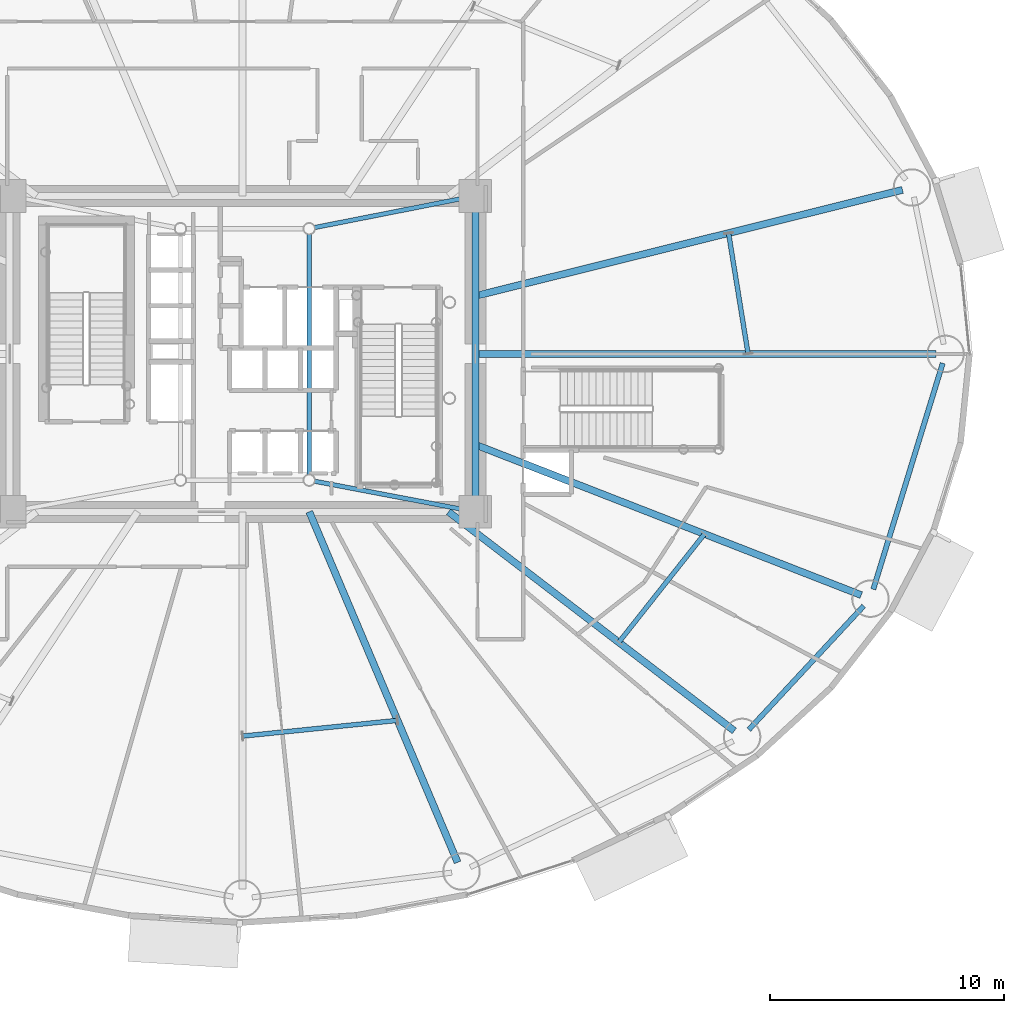
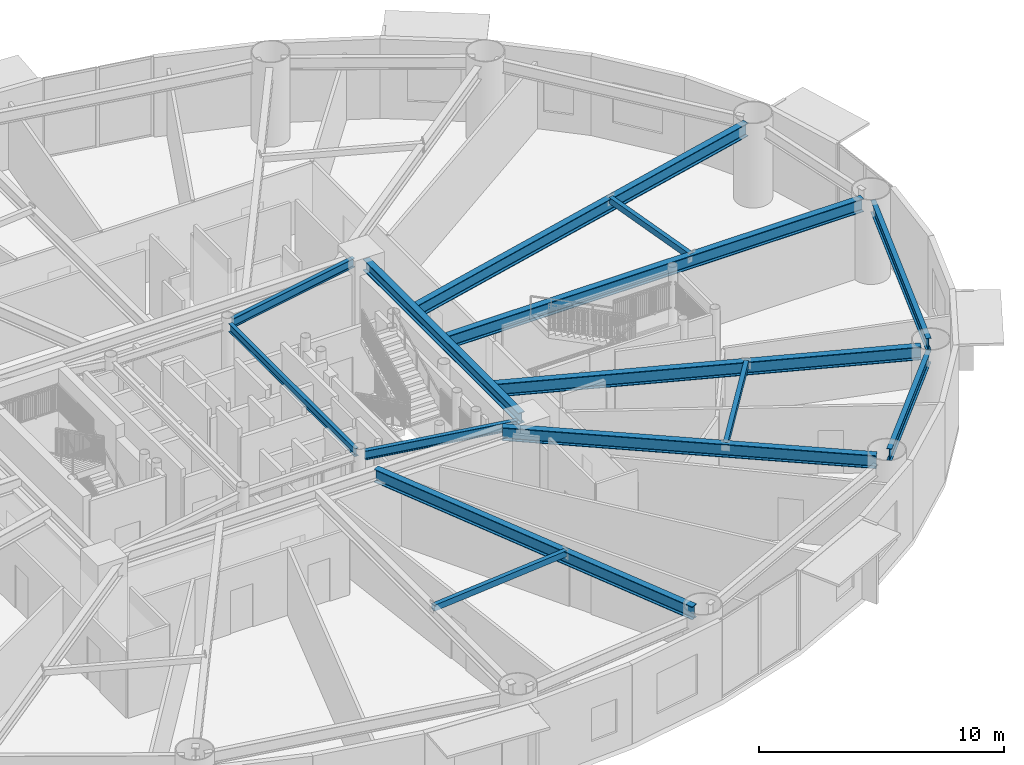
# One storey, part 7 of 32: 14 beams.
"""IFC4 building model written with IfcOpenShell, lengths in metres."""

from ifc_helpers import new_model, si_unit, direction, frame, origin, origin_2d, place, context, subcontext, project, spatial, hollow_rectangle, i_section, extrude, material, material_profile, profile_set, type_object, element, save


model = new_model("IFC4")

# Units and contexts
model_context = context("Model", 3, precision=1e-05, world=origin(), true_north=direction((0.0, 1.0)))
body_context = subcontext(model_context, "Body", "Model", "MODEL_VIEW")
ifc_project = project(units=[si_unit("LENGTHUNIT", "METRE"), si_unit("AREAUNIT", "SQUARE_METRE"), si_unit("VOLUMEUNIT", "CUBIC_METRE"), si_unit("PLANEANGLEUNIT", "RADIAN"), si_unit("MASSUNIT", "GRAM", prefix="KILO")], contexts=[model_context])

# Site, building, storey
site_placement = place(None, origin())
site = spatial("IfcSite", under=ifc_project, at=site_placement, CompositionType="ELEMENT")
building_placement = place(site_placement, origin())
building = spatial("IfcBuilding", under=site, at=building_placement, Name="Linh Dai School and Residence Tower", CompositionType="ELEMENT")
storey_placement = place(building_placement, frame((0.0, 0.0, 53.39990234375)))
storey = spatial("IfcBuildingStorey", under=building, at=storey_placement, Name="L12", CompositionType="ELEMENT", Elevation=53.39990234375)

# Beams
ifc_material = material(Name="Structural Steel S355JR", Category="steel")
ifc_material_profile_1 = material_profile(ifc_material, hollow_rectangle(XDim=0.199951171875, YDim=0.300048828125, WallThickness=0.010009765625, at=origin_2d()), Name="RHS 300x200x10")
ifc_profile_set_1 = profile_set([ifc_material_profile_1], Name="Structural Steel S355JR")
beam_type_1 = type_object("IfcBeamType", Name="BM-BX3", PredefinedType="BEAM", material=ifc_profile_set_1)
beam_1_placement = place(storey_placement, frame((57.607177734375, 27.0048828125, 3.800048828125), z_axis=(-0.159632523434, 0.987176507754, 0.0), x_axis=(-0.987176507754, -0.159632523434, 0.0)))
element("IfcBeam", 1, at=beam_1_placement, inside=storey, type_object=beam_type_1, Name="L12 Secondary Circumferential Floor Beam 01", PredefinedType="BEAM", context=body_context, shape_type="SweptSolid", body=[
    extrude(hollow_rectangle(XDim=0.199951171875, YDim=0.300048828125, WallThickness=0.010009765625, at=origin_2d()), origin(), (0.0, 0.0, 1.0), 5.21826171875),
])
beam_2_placement = place(storey_placement, frame((36.0048828125, 10.6630859375, 3.800048828125), z_axis=(0.99488448114, 0.10101915257, 0.0), x_axis=(-0.10101915257, 0.99488448114, 0.0)))
element("IfcBeam", 2, at=beam_2_placement, inside=storey, type_object=beam_type_1, Name="L12 Secondary Circumferential Floor Beam 07", PredefinedType="BEAM", context=body_context, shape_type="SweptSolid", body=[
    extrude(hollow_rectangle(XDim=0.199951171875, YDim=0.300048828125, WallThickness=0.010009765625, at=origin_2d()), origin(), (0.0, 0.0, 1.0), 6.65087890625),
])
beam_3_placement = place(storey_placement, frame((52.085693359375, 14.6748046875, 3.800048828125), z_axis=(0.620188156993, 0.784453089691, 0.0), x_axis=(-0.784453089691, 0.620188156993, 0.0)))
element("IfcBeam", 3, at=beam_3_placement, inside=storey, type_object=beam_type_1, Name="L12 Secondary Circumferential Floor Beam 08", PredefinedType="BEAM", context=body_context, shape_type="SweptSolid", body=[
    extrude(hollow_rectangle(XDim=0.199951171875, YDim=0.300048828125, WallThickness=0.010009765625, at=origin_2d()), origin(), (0.0, 0.0, 1.0), 5.89306640625),
])
ifc_material_profile_2 = material_profile(ifc_material, i_section(OverallWidth=0.219970703125, OverallDepth=0.60009765625, WebThickness=0.011962890625, FlangeThickness=0.01904296875, FilletRadius=0.02392578125, at=origin_2d()), Name="IPE 600")
ifc_profile_set_2 = profile_set([ifc_material_profile_2], Name="Structural Steel S355JR")
beam_type_2 = type_object("IfcBeamType", Name="BM-RB60", PredefinedType="BEAM", material=ifc_profile_set_2)
beam_4_placement = place(storey_placement, frame((57.638427734375, 10.938720703125, 3.650146484375), z_axis=(0.680408287194, 0.732833243458, 0.0), x_axis=(-0.732833243458, 0.680408287194, 0.0)))
element("IfcBeam", 4, at=beam_4_placement, inside=storey, type_object=beam_type_2, Name="L12 Perimeter Elliptical Ring Beam 15", PredefinedType="BEAM", context=body_context, shape_type="SweptSolid", body=[
    extrude(i_section(OverallWidth=0.219970703125, OverallDepth=0.60009765625, WebThickness=0.011962890625, FlangeThickness=0.01904296875, FilletRadius=0.02392578125, at=origin_2d()), origin(), (0.0, 0.0, 1.0), 7.21826171875),
])
beam_5_placement = place(storey_placement, frame((62.958740234375, 16.937744140625, 3.650146484375), z_axis=(0.293673329015, 0.95590584046, 0.0), x_axis=(-0.95590584046, 0.293673329015, 0.0)))
element("IfcBeam", 5, at=beam_5_placement, inside=storey, type_object=beam_type_2, Name="L12 Perimeter Elliptical Ring Beam 16", PredefinedType="BEAM", context=body_context, shape_type="SweptSolid", body=[
    extrude(i_section(OverallWidth=0.219970703125, OverallDepth=0.60009765625, WebThickness=0.011962890625, FlangeThickness=0.01904296875, FilletRadius=0.02392578125, at=origin_2d()), origin(), (0.0, 0.0, 1.0), 10.1064453125),
])
ifc_material_profile_3 = material_profile(ifc_material, i_section(OverallWidth=0.300048828125, OverallDepth=0.550048828125, WebThickness=0.014892578125, FlangeThickness=0.029052734375, FilletRadius=0.027099609375, at=origin_2d()), Name="HEB 550")
ifc_profile_set_3 = profile_set([ifc_material_profile_3], Name="Structural Steel S355JR")
beam_type_3 = type_object("IfcBeamType", Name="BM-RG55", PredefinedType="BEAM", material=ifc_profile_set_3)
beam_6_placement = place(storey_placement, frame((45.949951171875, 20.669921875, 3.675048828125), z_axis=(0.0, 1.0, 0.0), x_axis=(-1.0, 0.0, 0.0)))
element("IfcBeam", 6, at=beam_6_placement, inside=storey, type_object=beam_type_3, Name="L12 Core Perimeter Coupling Girder 2", PredefinedType="BEAM", context=body_context, shape_type="SweptSolid", body=[
    extrude(i_section(OverallWidth=0.300048828125, OverallDepth=0.550048828125, WebThickness=0.014892578125, FlangeThickness=0.029052734375, FilletRadius=0.027099609375, at=origin_2d()), origin(), (0.0, 0.0, 1.0), 12.66015625),
])
ifc_material_profile_4 = material_profile(ifc_material, i_section(OverallWidth=0.300048828125, OverallDepth=0.64990234375, WebThickness=0.01611328125, FlangeThickness=0.031005859375, FilletRadius=0.027099609375, at=origin_2d()), Name="HEB 650")
ifc_profile_set_4 = profile_set([ifc_material_profile_4], Name="Structural Steel S355JR")
beam_type_4 = type_object("IfcBeamType", Name="BM-RG65", PredefinedType="BEAM", material=ifc_profile_set_4)
beam_7_placement = place(storey_placement, frame((45.949951171875, 27.0, 3.625), z_axis=(1.0, 0.0, 0.0), x_axis=(0.0, 1.0, 0.0)))
element("IfcBeam", 7, at=beam_7_placement, inside=storey, type_object=beam_type_4, Name="L12 Primary Radial Floor Girder 01", PredefinedType="BEAM", context=body_context, shape_type="SweptSolid", body=[
    extrude(i_section(OverallWidth=0.300048828125, OverallDepth=0.64990234375, WebThickness=0.01611328125, FlangeThickness=0.031005859375, FilletRadius=0.027099609375, at=origin_2d()), origin(), (0.0, 0.0, 1.0), 19.679931640625),
])
beam_8_placement = place(storey_placement, frame((45.949951171875, 29.47216796875, 3.625), z_axis=(0.970493481328, 0.241127357843, 0.0), x_axis=(-0.241127357843, 0.970493481328, 0.0)))
element("IfcBeam", 8, at=beam_8_placement, inside=storey, type_object=beam_type_4, Name="L12 Primary Radial Floor Girder 02", PredefinedType="BEAM", context=body_context, shape_type="SweptSolid", body=[
    extrude(i_section(OverallWidth=0.300048828125, OverallDepth=0.64990234375, WebThickness=0.01611328125, FlangeThickness=0.031005859375, FilletRadius=0.027099609375, at=origin_2d()), origin(), (0.0, 0.0, 1.0), 18.80810546875),
])
beam_9_placement = place(storey_placement, frame((38.85546875, 20.25, 3.625), z_axis=(0.38962432485, -0.920973878829, 0.0), x_axis=(0.920973878829, 0.38962432485, 0.0)))
element("IfcBeam", 9, at=beam_9_placement, inside=storey, type_object=beam_type_4, Name="L12 Primary Radial Floor Girder 14", PredefinedType="BEAM", context=body_context, shape_type="SweptSolid", body=[
    extrude(i_section(OverallWidth=0.300048828125, OverallDepth=0.64990234375, WebThickness=0.01611328125, FlangeThickness=0.031005859375, FilletRadius=0.027099609375, at=origin_2d()), origin(), (0.0, 0.0, 1.0), 16.2685546875),
])
beam_10_placement = place(storey_placement, frame((44.804931640625, 20.25, 3.625), z_axis=(0.793637764155, -0.608390581212, 0.0), x_axis=(0.608390581212, 0.793637764155, 0.0)))
element("IfcBeam", 10, at=beam_10_placement, inside=storey, type_object=beam_type_4, Name="L12 Primary Radial Floor Girder 15", PredefinedType="BEAM", context=body_context, shape_type="SweptSolid", body=[
    extrude(i_section(OverallWidth=0.300048828125, OverallDepth=0.64990234375, WebThickness=0.01611328125, FlangeThickness=0.031005859375, FilletRadius=0.027099609375, at=origin_2d()), origin(), (0.0, 0.0, 1.0), 15.390625),
])
beam_11_placement = place(storey_placement, frame((45.949951171875, 23.120361328125, 3.625), z_axis=(0.93167509369, -0.363292609061, 0.0), x_axis=(0.363292609061, 0.93167509369, 0.0)))
element("IfcBeam", 11, at=beam_11_placement, inside=storey, type_object=beam_type_4, Name="L12 Primary Radial Floor Girder 16", PredefinedType="BEAM", context=body_context, shape_type="SweptSolid", body=[
    extrude(i_section(OverallWidth=0.300048828125, OverallDepth=0.64990234375, WebThickness=0.01611328125, FlangeThickness=0.031005859375, FilletRadius=0.027099609375, at=origin_2d()), origin(), (0.0, 0.0, 1.0), 17.703857421875),
])
ifc_material_profile_5 = material_profile(ifc_material, i_section(OverallWidth=0.179931640625, OverallDepth=0.39990234375, WebThickness=0.008544921875, FlangeThickness=0.013427734375, FilletRadius=0.02099609375, at=origin_2d()), Name="IPE 400")
ifc_profile_set_5 = profile_set([ifc_material_profile_5], Name="Structural Steel S355JR")
beam_type_5 = type_object("IfcBeamType", Name="BM-SB40", PredefinedType="BEAM", material=ifc_profile_set_5)
beam_12_placement = place(storey_placement, frame((38.85009765625, 21.823974609375, 3.75), z_axis=(0.0, 1.0, 0.0), x_axis=(-1.0, 0.0, 0.0)))
element("IfcBeam", 12, at=beam_12_placement, inside=storey, type_object=beam_type_5, Name="L12 Core Mast Pier Tie Beam 2", PredefinedType="BEAM", context=body_context, shape_type="SweptSolid", body=[
    extrude(i_section(OverallWidth=0.179931640625, OverallDepth=0.39990234375, WebThickness=0.008544921875, FlangeThickness=0.013427734375, FilletRadius=0.02099609375, at=origin_2d()), origin(), (0.0, 0.0, 1.0), 10.302001953125),
])
ifc_material_profile_6 = material_profile(ifc_material, i_section(OverallWidth=0.18994140625, OverallDepth=0.449951171875, WebThickness=0.009521484375, FlangeThickness=0.0146484375, FilletRadius=0.02099609375, at=origin_2d()), Name="IPE 450")
ifc_profile_set_6 = profile_set([ifc_material_profile_6], Name="Structural Steel S355JR")
beam_type_6 = type_object("IfcBeamType", Name="BM-SB45", PredefinedType="BEAM", material=ifc_profile_set_6)
beam_13_placement = place(storey_placement, frame((45.537353515625, 20.328369140625, 3.72509765625), z_axis=(-0.982397918823, 0.186800238471, 0.0), x_axis=(-0.186800238471, -0.982397918823, 0.0)))
element("IfcBeam", 13, at=beam_13_placement, inside=storey, type_object=beam_type_6, Name="L12 Core Corner-to-Mast Pier Beam 2", PredefinedType="BEAM", context=body_context, shape_type="SweptSolid", body=[
    extrude(i_section(OverallWidth=0.18994140625, OverallDepth=0.449951171875, WebThickness=0.009521484375, FlangeThickness=0.0146484375, FilletRadius=0.02099609375, at=origin_2d()), origin(), (0.0, 0.0, 1.0), 6.583251953125),
])
beam_14_placement = place(storey_placement, frame((45.537841796875, 33.668701171875, 3.72509765625), z_axis=(-0.981108354988, -0.193459028666, 0.0), x_axis=(0.193459028666, -0.981108354988, 0.0)))
element("IfcBeam", 14, at=beam_14_placement, inside=storey, type_object=beam_type_6, Name="L12 Core Corner-to-Mast Pier Beam 3", PredefinedType="BEAM", context=body_context, shape_type="SweptSolid", body=[
    extrude(i_section(OverallWidth=0.18994140625, OverallDepth=0.449951171875, WebThickness=0.009521484375, FlangeThickness=0.0146484375, FilletRadius=0.02099609375, at=origin_2d()), origin(), (0.0, 0.0, 1.0), 6.592529296875),
])

save(model, "model.ifc")
